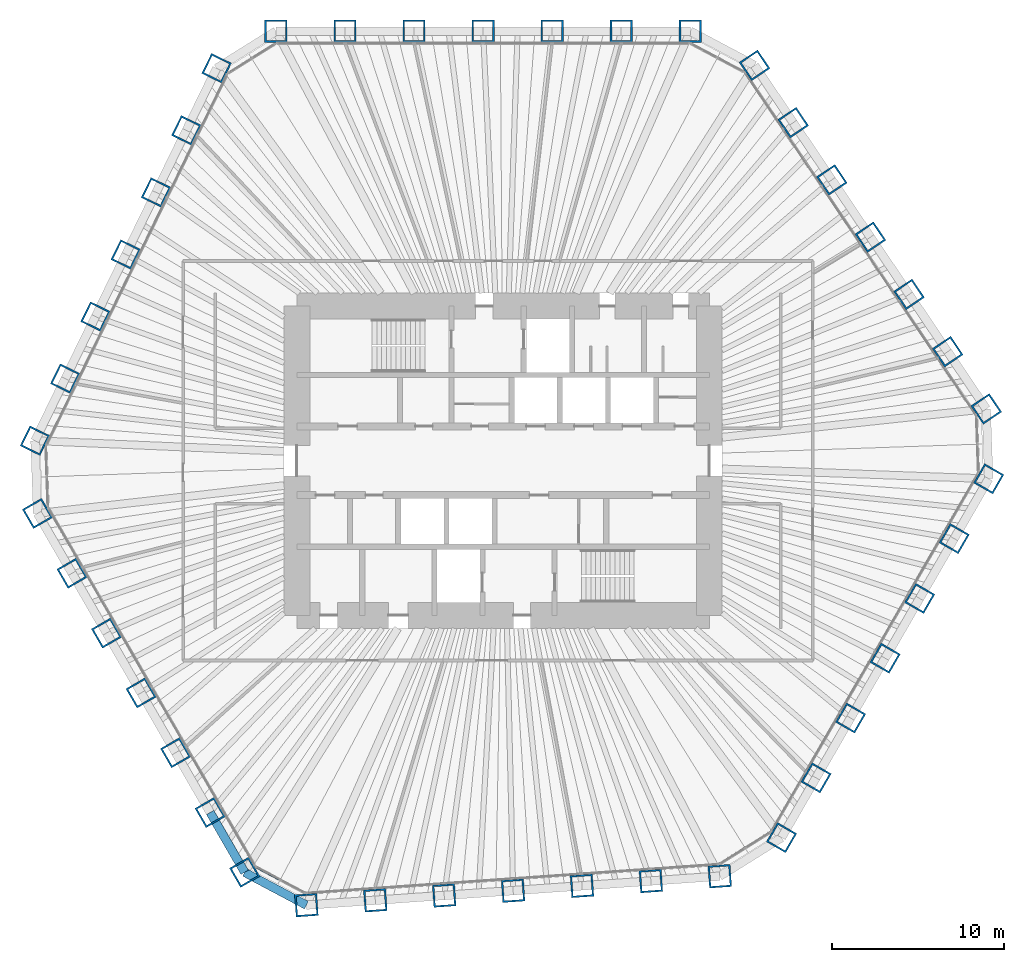
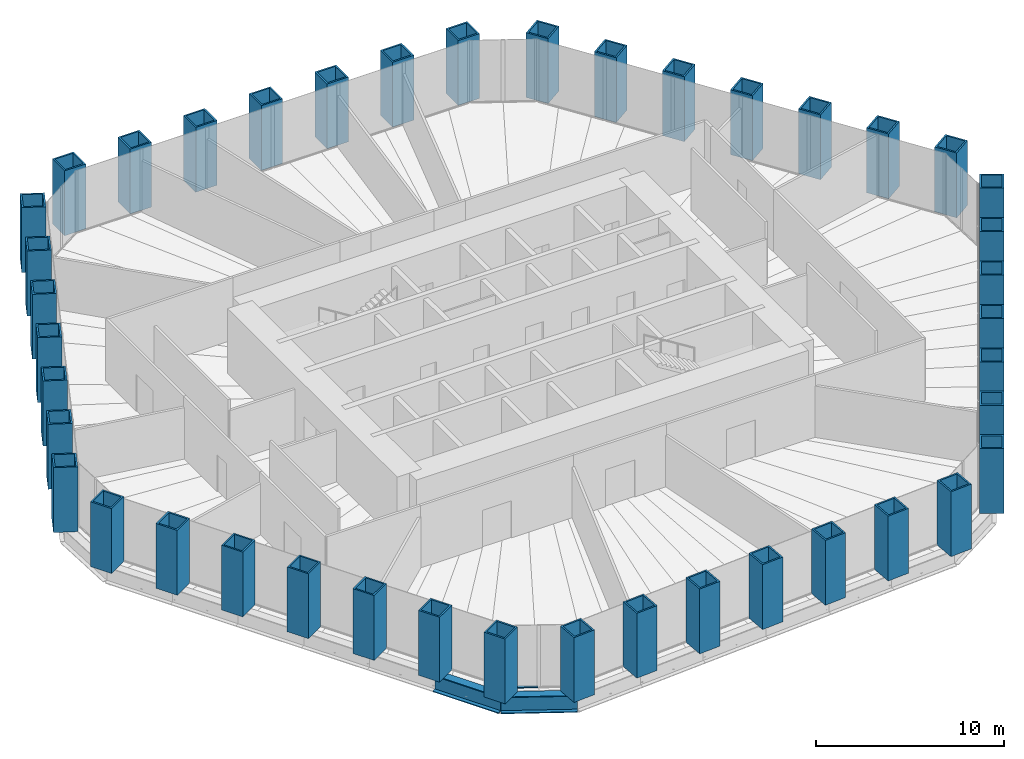
# One storey, part 1 of 13: 42 columns, 2 beams, 1 member, 1 element without a shape of its own.
"""IFC4 building model written with IfcOpenShell, lengths in metres."""

from ifc_helpers import new_model, si_unit, direction, frame, origin, origin_2d, place, context, subcontext, project, spatial, rectangle, hollow_rectangle, i_section, extrude, material, material_profile, profile_set, type_object, element, aggregate, save


model = new_model("IFC4")

# Units and contexts
model_context = context("Model", 3, precision=1e-05, world=origin(), true_north=direction((0.0, 1.0)))
body_context = subcontext(model_context, "Body", "Model", "MODEL_VIEW")
ifc_project = project(units=[si_unit("LENGTHUNIT", "METRE"), si_unit("AREAUNIT", "SQUARE_METRE"), si_unit("VOLUMEUNIT", "CUBIC_METRE"), si_unit("PLANEANGLEUNIT", "RADIAN"), si_unit("MASSUNIT", "GRAM", prefix="KILO")], contexts=[model_context])

# Site, building, storey
site_placement = place(None, origin())
site = spatial("IfcSite", under=ifc_project, at=site_placement, CompositionType="ELEMENT")
building_placement = place(site_placement, origin())
building = spatial("IfcBuilding", under=site, at=building_placement, Name="Qingtian Harvest Tower", CompositionType="ELEMENT")
storey_placement = place(building_placement, frame((0.0, 0.0, 132.39990234375)))
storey = spatial("IfcBuildingStorey", under=building, at=storey_placement, Name="L27", CompositionType="ELEMENT", Elevation=132.39990234375)

# Columns
ifc_material_1 = material(Name="Steel SM570MC", Category="steel")
ifc_material_profile_1 = material_profile(ifc_material_1, hollow_rectangle(XDim=1.300048828125, YDim=1.300048828125, WallThickness=0.10009765625, at=origin_2d()), Name="BOX1300x1300x100")
ifc_profile_set_1 = profile_set([ifc_material_profile_1], Name="Steel SM570MC")
column_type = type_object("IfcColumnType", Name="Tube column TC3 BOX1300x1300x100", PredefinedType="COLUMN", material=ifc_profile_set_1)
for number, where, z_axis, x_axis, name in (
    (1, (-13.2216796875, 25.0, 0.0), (0.0, 0.0, 1.0), (-1.0, 0.0, 0.0), "Tube column TC3 N0"),
    (2, (-9.20263671875, 25.0, 0.0), (0.0, 0.0, 1.0), (-1.0, 0.0, 0.0), "Tube column TC3 N1"),
    (3, (-5.18359375, 25.0, 0.0), (0.0, 0.0, 1.0), (-1.0, 0.0, 0.0), "Tube column TC3 N2"),
    (4, (-1.16455078125, 25.0, 0.0), (0.0, 0.0, 1.0), (-1.0, 0.0, 0.0), "Tube column TC3 N3"),
    (5, (2.8544921875, 25.0, 0.0), (0.0, 0.0, 1.0), (-1.0, 0.0, 0.0), "Tube column TC3 N4"),
    (6, (6.873779296875, 25.0, 0.0), (0.0, 0.0, 1.0), (-1.0, 0.0, 0.0), "Tube column TC3 N5"),
    (7, (10.892822265625, 25.0, 0.0), (0.0, 0.0, 1.0), (-1.0, 0.0, 0.0), "Tube column TC3 N6"),
    (8, (14.634765625, 23.01025390625, 0.0), (0.0, 0.0, 1.0), (-0.559192903471, 0.829037572555, 0.0), "Tube column TC3 NE0"),
    (9, (16.88232421875, 19.67822265625, 0.0), (0.0, 0.0, 1.0), (-0.559192903471, 0.829037572555, 0.0), "Tube column TC3 NE1"),
    (10, (19.129638671875, 16.346435546875, 0.0), (0.0, 0.0, 1.0), (-0.559192903471, 0.829037572555, 0.0), "Tube column TC3 NE2"),
    (11, (21.377197265625, 13.014404296875, 0.0), (0.0, 0.0, 1.0), (-0.559192903471, 0.829037572555, 0.0), "Tube column TC3 NE3"),
    (12, (23.62451171875, 9.682373046875, 0.0), (0.0, 0.0, 1.0), (-0.559192903471, 0.829037572555, 0.0), "Tube column TC3 NE4"),
    (13, (25.8720703125, 6.3505859375, 0.0), (0.0, 0.0, 1.0), (-0.559192903471, 0.829037572555, 0.0), "Tube column TC3 NE5"),
    (14, (28.119384765625, 3.0185546875, 0.0), (0.0, 0.0, 1.0), (-0.559192903471, 0.829037572555, 0.0), "Tube column TC3 NE6"),
    (15, (28.261474609375, -1.049560546875, 0.0), (0.0, 0.0, 1.0), (0.5, 0.866025403784, 0.0), "Tube column TC3 SE0"),
    (16, (26.251953125, -4.5302734375, 0.0), (0.0, 0.0, 1.0), (0.5, 0.866025403784, 0.0), "Tube column TC3 SE1"),
    (17, (24.242431640625, -8.010986328125, 0.0), (0.0, 0.0, 1.0), (0.5, 0.866025403784, 0.0), "Tube column TC3 SE2"),
    (18, (22.23291015625, -11.491455078125, 0.0), (0.0, 0.0, 1.0), (0.5, 0.866025403784, 0.0), "Tube column TC3 SE3"),
    (19, (20.223388671875, -14.97216796875, 0.0), (0.0, 0.0, 1.0), (0.5, 0.866025403784, 0.0), "Tube column TC3 SE4"),
    (20, (18.2138671875, -18.452880859375, 0.0), (0.0, 0.0, 1.0), (0.5, 0.866025403784, 0.0), "Tube column TC3 SE5"),
    (21, (16.204345703125, -21.933349609375, 0.0), (0.0, 0.0, 1.0), (0.5, 0.866025403784, 0.0), "Tube column TC3 SE6"),
    (22, (12.610107421875, -24.17919921875, 0.0), (0.0, 0.0, 1.0), (0.99756405026, 0.069756473744, 0.0), "Tube column TC3 S0"),
    (23, (8.600830078125, -24.459716796875, 0.0), (0.0, 0.0, 1.0), (0.99756405026, 0.069756473744, 0.0), "Tube column TC3 S1"),
    (24, (4.591552734375, -24.739990234375, 0.0), (0.0, 0.0, 1.0), (0.99756405026, 0.069756473744, 0.0), "Tube column TC3 S2"),
    (25, (0.582275390625, -25.020263671875, 0.0), (0.0, 0.0, 1.0), (0.99756405026, 0.069756473744, 0.0), "Tube column TC3 S3"),
    (26, (-3.427001953125, -25.30078125, 0.0), (0.0, 0.0, 1.0), (0.99756405026, 0.069756473744, 0.0), "Tube column TC3 S4"),
    (27, (-7.436279296875, -25.5810546875, 0.0), (0.0, 0.0, 1.0), (0.99756405026, 0.069756473744, 0.0), "Tube column TC3 S5"),
    (28, (-11.445556640625, -25.861328125, 0.0), (0.0, 0.0, 1.0), (0.99756405026, 0.069756473744, 0.0), "Tube column TC3 S6"),
    (29, (-15.039794921875, -23.950439453125, 0.0), (0.0, 0.0, 1.0), (0.5, -0.866025403784, 0.0), "Tube column TC3 SW0"),
    (30, (-17.04931640625, -20.4697265625, 0.0), (0.0, 0.0, 1.0), (0.5, -0.866025403784, 0.0), "Tube column TC3 SW1"),
    (31, (-19.058837890625, -16.989013671875, 0.0), (0.0, 0.0, 1.0), (0.5, -0.866025403784, 0.0), "Tube column TC3 SW2"),
    (32, (-21.068359375, -13.508544921875, 0.0), (0.0, 0.0, 1.0), (0.5, -0.866025403784, 0.0), "Tube column TC3 SW3"),
    (33, (-23.077880859375, -10.02783203125, 0.0), (0.0, 0.0, 1.0), (0.5, -0.866025403784, 0.0), "Tube column TC3 SW4"),
    (34, (-25.08740234375, -6.547119140625, 0.0), (0.0, 0.0, 1.0), (0.5, -0.866025403784, 0.0), "Tube column TC3 SW5"),
    (35, (-27.096923828125, -3.066650390625, 0.0), (0.0, 0.0, 1.0), (0.5, -0.866025403784, 0.0), "Tube column TC3 SW6"),
    (36, (-27.244873046875, 1.1689453125, 0.0), (0.0, 0.0, 1.0), (-0.438371146789, -0.898794046299, 0.0), "Tube column TC3 NW0"),
    (37, (-25.483154296875, 4.78125, 0.0), (0.0, 0.0, 1.0), (-0.438371146789, -0.898794046299, 0.0), "Tube column TC3 NW1"),
    (38, (-23.72119140625, 8.3935546875, 0.0), (0.0, 0.0, 1.0), (-0.438371146789, -0.898794046299, 0.0), "Tube column TC3 NW2"),
    (39, (-21.95947265625, 12.005859375, 0.0), (0.0, 0.0, 1.0), (-0.438371146789, -0.898794046299, 0.0), "Tube column TC3 NW3"),
    (40, (-20.197509765625, 15.6181640625, 0.0), (0.0, 0.0, 1.0), (-0.438371146789, -0.898794046299, 0.0), "Tube column TC3 NW4"),
    (41, (-18.435791015625, 19.23046875, 0.0), (0.0, 0.0, 1.0), (-0.438371146789, -0.898794046299, 0.0), "Tube column TC3 NW5"),
    (42, (-16.673828125, 22.8427734375, 0.0), (0.0, 0.0, 1.0), (-0.438371146789, -0.898794046299, 0.0), "Tube column TC3 NW6"),
):
    element("IfcColumn", number, at=place(storey_placement, frame(where, z_axis=z_axis, x_axis=x_axis)), inside=storey, type_object=column_type, Name=name, PredefinedType="COLUMN", context=body_context, shape_type="SweptSolid", body=[
        extrude(hollow_rectangle(XDim=1.300048828125, YDim=1.300048828125, WallThickness=0.10009765625, at=origin_2d()), origin(), (0.0, 0.0, 1.0), 4.2001953125),
    ])

# Beams
ifc_material_2 = material(Name="Steel SM570MC", Category="steel")
ifc_material_profile_2 = material_profile(ifc_material_2, i_section(OverallWidth=0.5, OverallDepth=1.10009765625, WebThickness=0.02490234375, FlangeThickness=0.050048828125, at=origin_2d()), Name="H1100x500x25x50")
ifc_profile_set_2 = profile_set([ifc_material_profile_2], Name="Steel SM570MC")
beam_type = type_object("IfcBeamType", Name="Spandrel beam SB2 H1100x500x25x50", PredefinedType="SPANDREL", material=ifc_profile_set_2)
beam_1_placement = place(storey_placement, frame((-11.445556640625, -25.861328125, -0.5498046875), z_axis=(-0.882968133669, 0.469432929101, 0.0), x_axis=(-0.469432929101, -0.882968133669, 0.0)))
element("IfcBeam", 43, at=beam_1_placement, inside=storey, type_object=beam_type, Name="Spandrel SB2 SC", PredefinedType="SPANDREL", context=body_context, shape_type="SweptSolid", body=[
    extrude(i_section(OverallWidth=0.5, OverallDepth=1.10009765625, WebThickness=0.02490234375, FlangeThickness=0.050048828125, at=origin_2d()), origin(), (0.0, 0.0, 1.0), 4.070556640625),
])
beam_2_placement = place(storey_placement, frame((-15.039794921875, -23.950439453125, -0.5498046875), z_axis=(-0.499987116613, 0.866032841884, 0.0), x_axis=(-0.866032841884, -0.499987116613, 0.0)))
element("IfcBeam", 44, at=beam_2_placement, inside=storey, type_object=beam_type, Name="Spandrel SB2 SW0", PredefinedType="SPANDREL", context=body_context, shape_type="SweptSolid", body=[
    extrude(i_section(OverallWidth=0.5, OverallDepth=1.10009765625, WebThickness=0.02490234375, FlangeThickness=0.050048828125, at=origin_2d()), origin(), (0.0, 0.0, 1.0), 4.01904296875),
])

# Curtain wall, member
ifc_material_3 = material(Name="Bronze-anodised aluminium curtain wall", Category="aluminium")
curtain_wall_type = type_object("IfcCurtainWallType", Name="Curtain wall CW4 office", PredefinedType="USERDEFINED", material=ifc_material_3)
curtain_wall_placement = place(storey_placement, origin())
curtain_wall = element("IfcCurtainWall", 45, at=curtain_wall_placement, inside=storey, type_object=curtain_wall_type, Name="Curtain wall CW4 L27 SC", ObjectType="RECESSED CURTAIN WALL", PredefinedType="USERDEFINED")
ifc_material_4 = material(Name="Bronze-anodised aluminium transom", Category="aluminium")
ifc_material_profile_3 = material_profile(ifc_material_4, rectangle(XDim=0.14990234375, YDim=0.06494140625, at=origin_2d()), Name="AL 65x150")
ifc_profile_set_3 = profile_set([ifc_material_profile_3], Name="Bronze-anodised aluminium transom")
member_type = type_object("IfcMemberType", Name="Transom CWT 65x150", PredefinedType="USERDEFINED", material=ifc_profile_set_3)
member_placement = place(storey_placement, frame((-12.99267578125, -24.366455078125, 0.03271484375), z_axis=(-0.882960338349, 0.46944759122, 0.0), x_axis=(-0.46944759122, -0.882960338349, 0.0)))
member = element("IfcMember", 46, at=member_placement, type_object=member_type, Name="CW4 transom 2.1", ObjectType="TRANSOM", PredefinedType="USERDEFINED", context=body_context, shape_type="SweptSolid", body=[
    extrude(rectangle(XDim=0.14990234375, YDim=0.06494140625, at=origin_2d()), origin(), (0.0, 0.0, 1.0), 1.56689453125),
])
aggregate(curtain_wall, [member])

save(model, "model.ifc")
